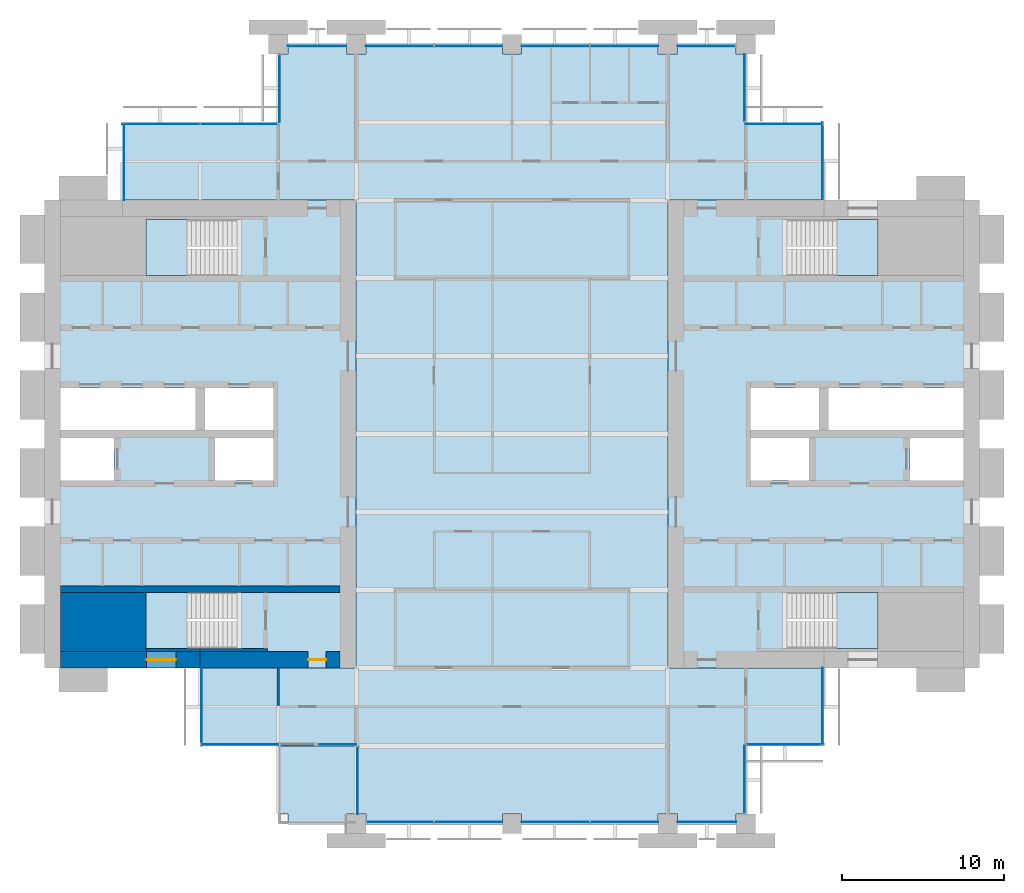
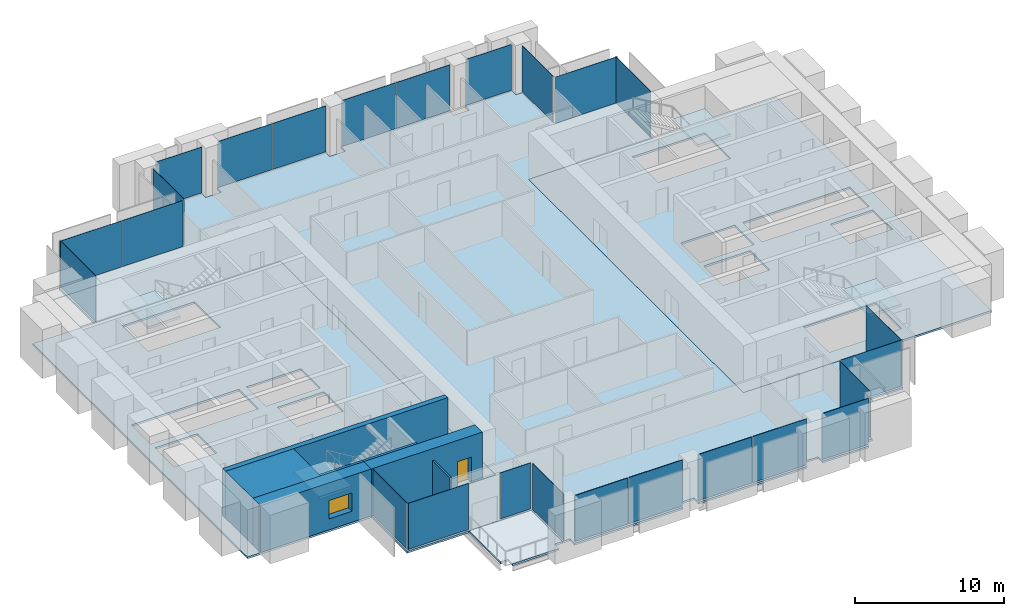
# One storey, part 8 of 14: 25 plates, 8 slabs, 7 walls, 1 door, 1 window, 2 openings, 19 elements without a shape of their own.
"""IFC4 building model written with IfcOpenShell, lengths in metres."""

from ifc_helpers import new_model, si_unit, direction, frame, frame_2d, origin, origin_2d, place, context, subcontext, project, spatial, polyline, rectangle, outline, extrude, material, layer, layer_set, type_object, element, fill, aggregate, save


model = new_model("IFC4")

# Units and contexts
model_context = context("Model", 3, precision=1e-05, world=origin(), true_north=direction((0.0, 1.0)))
body_context = subcontext(model_context, "Body", "Model", "MODEL_VIEW")
ifc_project = project(units=[si_unit("LENGTHUNIT", "METRE"), si_unit("AREAUNIT", "SQUARE_METRE"), si_unit("VOLUMEUNIT", "CUBIC_METRE"), si_unit("PLANEANGLEUNIT", "RADIAN"), si_unit("MASSUNIT", "GRAM", prefix="KILO")], contexts=[model_context])

# Site, building, storey
site_placement = place(None, origin())
site = spatial("IfcSite", under=ifc_project, at=site_placement, CompositionType="ELEMENT")
building_placement = place(site_placement, origin())
building = spatial("IfcBuilding", under=site, at=building_placement, Name="Baori Bourse Tower", CompositionType="ELEMENT")
storey_placement = place(building_placement, frame((0.0, 0.0, 148.10009765625)))
storey = spatial("IfcBuildingStorey", under=building, at=storey_placement, Name="L32", CompositionType="ELEMENT", Elevation=148.10009765625)

# Curtain wall, plates
ifc_material_1 = material(Name="Pale anodised aluminium", Category="aluminium")
curtain_wall_type_1 = type_object("IfcCurtainWallType", Name="CW1 Curtain wall", PredefinedType="NOTDEFINED", material=ifc_material_1)
curtain_wall_1_placement = place(storey_placement, origin())
curtain_wall_1 = element("IfcCurtainWall", 1, at=curtain_wall_1_placement, inside=storey, type_object=curtain_wall_type_1, Name="Curtain wall CW1 L32 4", PredefinedType="NOTDEFINED")
ifc_material_2 = material(Name="Clear glass", Category="glass")
ifc_layer_1 = layer(ifc_material_2, 0.033935546875)
ifc_layer_set_1 = layer_set([ifc_layer_1], Name="CW1 Curtain wall panel")
plate_type_1 = type_object("IfcPlateType", Name="CW1 Curtain wall panel", PredefinedType="CURTAIN_PANEL", material=ifc_layer_set_1)
plate_1_placement = place(storey_placement, frame((40.77001953125, 47.89990234375, 0.080078125), z_axis=(0.0, 0.0, 1.0), x_axis=(-1.0, 0.0, 0.0)))
plate_1 = element("IfcPlate", 2, at=plate_1_placement, type_object=plate_type_1, Name="Curtain wall CW1 panel", PredefinedType="CURTAIN_PANEL", context=body_context, shape_type="SweptSolid", body=[
    extrude(rectangle(XDim=3.5400390625, YDim=0.033935546875, at=origin_2d()), origin(), (0.0, 0.0, 1.0), 3.760009765625),
])
plate_2_placement = place(storey_placement, frame((35.715087890625, 47.89990234375, 0.080078125), z_axis=(0.0, 0.0, 1.0), x_axis=(-1.0, 0.0, 0.0)))
plate_2 = element("IfcPlate", 3, at=plate_2_placement, type_object=plate_type_1, Name="Curtain wall CW1 panel", PredefinedType="CURTAIN_PANEL", context=body_context, shape_type="SweptSolid", body=[
    extrude(rectangle(XDim=4.169921875, YDim=0.033935546875, at=origin_2d()), origin(), (0.0, 0.0, 1.0), 3.760009765625),
])
plate_3_placement = place(storey_placement, frame((31.485107421875, 47.89990234375, 0.080078125), z_axis=(0.0, 0.0, 1.0), x_axis=(-1.0, 0.0, 0.0)))
plate_3 = element("IfcPlate", 4, at=plate_3_placement, type_object=plate_type_1, Name="Curtain wall CW1 panel", PredefinedType="CURTAIN_PANEL", context=body_context, shape_type="SweptSolid", body=[
    extrude(rectangle(XDim=4.169921875, YDim=0.033935546875, at=origin_2d()), origin(), (0.0, 0.0, 1.0), 3.760009765625),
])
plate_4_placement = place(storey_placement, frame((26.114990234375, 47.89990234375, 0.080078125), z_axis=(0.0, 0.0, 1.0), x_axis=(-1.0, 0.0, 0.0)))
plate_4 = element("IfcPlate", 5, at=plate_4_placement, type_object=plate_type_1, Name="Curtain wall CW1 panel", PredefinedType="CURTAIN_PANEL", context=body_context, shape_type="SweptSolid", body=[
    extrude(rectangle(XDim=4.169921875, YDim=0.033935546875, at=origin_2d()), origin(), (0.0, 0.0, 1.0), 3.760009765625),
])
plate_5_placement = place(storey_placement, frame((21.885009765625, 47.89990234375, 0.080078125), z_axis=(0.0, 0.0, 1.0), x_axis=(-1.0, 0.0, 0.0)))
plate_5 = element("IfcPlate", 6, at=plate_5_placement, type_object=plate_type_1, Name="Curtain wall CW1 panel", PredefinedType="CURTAIN_PANEL", context=body_context, shape_type="SweptSolid", body=[
    extrude(rectangle(XDim=4.169921875, YDim=0.033935546875, at=origin_2d()), origin(), (0.0, 0.0, 1.0), 3.760009765625),
])
plate_6_placement = place(storey_placement, frame((16.800048828125, 47.89990234375, 0.080078125), z_axis=(0.0, 0.0, 1.0), x_axis=(-1.0, 0.0, 0.0)))
plate_6 = element("IfcPlate", 7, at=plate_6_placement, type_object=plate_type_1, Name="Curtain wall CW1 panel", PredefinedType="CURTAIN_PANEL", context=body_context, shape_type="SweptSolid", body=[
    extrude(rectangle(XDim=3.60009765625, YDim=0.033935546875, at=origin_2d()), origin(), (0.0, 0.0, 1.0), 3.760009765625),
])
aggregate(curtain_wall_1, [plate_1, plate_2, plate_3, plate_4, plate_5, plate_6])

curtain_wall_2_placement = place(storey_placement, origin())
curtain_wall_2 = element("IfcCurtainWall", 8, at=curtain_wall_2_placement, inside=storey, type_object=curtain_wall_type_1, Name="Curtain wall CW1 L32 12", PredefinedType="NOTDEFINED")
plate_7_placement = place(storey_placement, frame((21.9150390625, 0.10009765625, 0.080078125), z_axis=(0.0, 0.0, 1.0), x_axis=(1.0, 0.0, 0.0)))
plate_7 = element("IfcPlate", 9, at=plate_7_placement, type_object=plate_type_1, Name="Curtain wall CW1 panel", PredefinedType="CURTAIN_PANEL", context=body_context, shape_type="SweptSolid", body=[
    extrude(rectangle(XDim=4.110107421875, YDim=0.033935546875, at=origin_2d()), origin(), (0.0, 0.0, 1.0), 3.760009765625),
])
plate_8_placement = place(storey_placement, frame((26.114990234375, 0.10009765625, 0.080078125), z_axis=(0.0, 0.0, 1.0), x_axis=(1.0, 0.0, 0.0)))
plate_8 = element("IfcPlate", 10, at=plate_8_placement, type_object=plate_type_1, Name="Curtain wall CW1 panel", PredefinedType="CURTAIN_PANEL", context=body_context, shape_type="SweptSolid", body=[
    extrude(rectangle(XDim=4.169921875, YDim=0.033935546875, at=origin_2d()), origin(), (0.0, 0.0, 1.0), 3.760009765625),
])
plate_9_placement = place(storey_placement, frame((31.485107421875, 0.10009765625, 0.080078125), z_axis=(0.0, 0.0, 1.0), x_axis=(1.0, 0.0, 0.0)))
plate_9 = element("IfcPlate", 11, at=plate_9_placement, type_object=plate_type_1, Name="Curtain wall CW1 panel", PredefinedType="CURTAIN_PANEL", context=body_context, shape_type="SweptSolid", body=[
    extrude(rectangle(XDim=4.169921875, YDim=0.033935546875, at=origin_2d()), origin(), (0.0, 0.0, 1.0), 3.760009765625),
])
plate_10_placement = place(storey_placement, frame((35.715087890625, 0.10009765625, 0.080078125), z_axis=(0.0, 0.0, 1.0), x_axis=(1.0, 0.0, 0.0)))
plate_10 = element("IfcPlate", 12, at=plate_10_placement, type_object=plate_type_1, Name="Curtain wall CW1 panel", PredefinedType="CURTAIN_PANEL", context=body_context, shape_type="SweptSolid", body=[
    extrude(rectangle(XDim=4.169921875, YDim=0.033935546875, at=origin_2d()), origin(), (0.0, 0.0, 1.0), 3.760009765625),
])
plate_11_placement = place(storey_placement, frame((40.800048828125, 0.10009765625, 0.080078125), z_axis=(0.0, 0.0, 1.0), x_axis=(1.0, 0.0, 0.0)))
plate_11 = element("IfcPlate", 13, at=plate_11_placement, type_object=plate_type_1, Name="Curtain wall CW1 panel", PredefinedType="CURTAIN_PANEL", context=body_context, shape_type="SweptSolid", body=[
    extrude(rectangle(XDim=3.60009765625, YDim=0.033935546875, at=origin_2d()), origin(), (0.0, 0.0, 1.0), 3.760009765625),
])
aggregate(curtain_wall_2, [plate_7, plate_8, plate_9, plate_10, plate_11])

# Curtain wall, plate
ifc_material_3 = material(Name="Pale anodised aluminium", Category="aluminium")
curtain_wall_type_2 = type_object("IfcCurtainWallType", Name="CW2 Curtain wall", PredefinedType="NOTDEFINED", material=ifc_material_3)
curtain_wall_3_placement = place(storey_placement, origin())
curtain_wall_3 = element("IfcCurtainWall", 14, at=curtain_wall_3_placement, inside=storey, type_object=curtain_wall_type_2, Name="Curtain wall CW2 L32 1", PredefinedType="NOTDEFINED")
ifc_material_4 = material(Name="Clear glass", Category="glass")
ifc_layer_2 = layer(ifc_material_4, 0.030029296875)
ifc_layer_set_2 = layer_set([ifc_layer_2], Name="CW2 Curtain wall panel")
plate_type_2 = type_object("IfcPlateType", Name="CW2 Curtain wall panel", PredefinedType="CURTAIN_PANEL", material=ifc_layer_set_2)
plate_12_placement = place(storey_placement, frame((47.909912109375, 40.827392578125, 0.06982421875), z_axis=(0.0, 0.0, 1.0), x_axis=(0.0, 1.0, 0.0)))
plate_12 = element("IfcPlate", 15, at=plate_12_placement, type_object=plate_type_2, Name="Curtain wall CW2 panel", PredefinedType="CURTAIN_PANEL", context=body_context, shape_type="SweptSolid", body=[
    extrude(rectangle(XDim=4.7451171875, YDim=0.030029296875, at=origin_2d()), origin(), (0.0, 0.0, 1.0), 3.77001953125),
])
aggregate(curtain_wall_3, [plate_12])

curtain_wall_4_placement = place(storey_placement, origin())
curtain_wall_4 = element("IfcCurtainWall", 16, at=curtain_wall_4_placement, inside=storey, type_object=curtain_wall_type_2, Name="Curtain wall CW2 L32 2", PredefinedType="NOTDEFINED")
plate_13_placement = place(storey_placement, frame((45.572509765625, 43.110107421875, 0.06982421875), z_axis=(0.0, 0.0, 1.0), x_axis=(-1.0, 0.0, 0.0)))
plate_13 = element("IfcPlate", 17, at=plate_13_placement, type_object=plate_type_2, Name="Curtain wall CW2 panel", PredefinedType="CURTAIN_PANEL", context=body_context, shape_type="SweptSolid", body=[
    extrude(rectangle(XDim=4.7451171875, YDim=0.030029296875, at=origin_2d()), origin(), (0.0, 0.0, 1.0), 3.77001953125),
])
aggregate(curtain_wall_4, [plate_13])

curtain_wall_5_placement = place(storey_placement, origin())
curtain_wall_5 = element("IfcCurtainWall", 18, at=curtain_wall_5_placement, inside=storey, type_object=curtain_wall_type_2, Name="Curtain wall CW2 L32 3", PredefinedType="NOTDEFINED")
plate_14_placement = place(storey_placement, frame((43.110107421875, 45.327392578125, 0.06982421875), z_axis=(0.0, 0.0, 1.0), x_axis=(0.0, 1.0, 0.0)))
plate_14 = element("IfcPlate", 19, at=plate_14_placement, type_object=plate_type_2, Name="Curtain wall CW2 panel", PredefinedType="CURTAIN_PANEL", context=body_context, shape_type="SweptSolid", body=[
    extrude(rectangle(XDim=4.14501953125, YDim=0.030029296875, at=origin_2d()), origin(), (0.0, 0.0, 1.0), 3.77001953125),
])
aggregate(curtain_wall_5, [plate_14])

curtain_wall_6_placement = place(storey_placement, origin())
curtain_wall_6 = element("IfcCurtainWall", 20, at=curtain_wall_6_placement, inside=storey, type_object=curtain_wall_type_2, Name="Curtain wall CW2 L32 5", PredefinedType="NOTDEFINED")
plate_15_placement = place(storey_placement, frame((14.489990234375, 45.2724609375, 0.06982421875), z_axis=(0.0, 0.0, 1.0), x_axis=(0.0, -1.0, 0.0)))
plate_15 = element("IfcPlate", 21, at=plate_15_placement, type_object=plate_type_2, Name="Curtain wall CW2 panel", PredefinedType="CURTAIN_PANEL", context=body_context, shape_type="SweptSolid", body=[
    extrude(rectangle(XDim=4.14501953125, YDim=0.030029296875, at=origin_2d()), origin(), (0.0, 0.0, 1.0), 3.77001953125),
])
aggregate(curtain_wall_6, [plate_15])

# Curtain wall, plates
curtain_wall_7_placement = place(storey_placement, origin())
curtain_wall_7 = element("IfcCurtainWall", 22, at=curtain_wall_7_placement, inside=storey, type_object=curtain_wall_type_2, Name="Curtain wall CW2 L32 6", PredefinedType="NOTDEFINED")
plate_16_placement = place(storey_placement, frame((11.986328125, 43.110107421875, 0.06982421875), z_axis=(0.0, 0.0, 1.0), x_axis=(-1.0, 0.0, 0.0)))
plate_16 = element("IfcPlate", 23, at=plate_16_placement, type_object=plate_type_2, Name="Curtain wall CW2 panel", PredefinedType="CURTAIN_PANEL", context=body_context, shape_type="SweptSolid", body=[
    extrude(rectangle(XDim=4.717529296875, YDim=0.030029296875, at=origin_2d()), origin(), (0.0, 0.0, 1.0), 3.77001953125),
])
plate_17_placement = place(storey_placement, frame((7.186279296875, 43.110107421875, 0.06982421875), z_axis=(0.0, 0.0, 1.0), x_axis=(-1.0, 0.0, 0.0)))
plate_17 = element("IfcPlate", 24, at=plate_17_placement, type_object=plate_type_2, Name="Curtain wall CW2 panel", PredefinedType="CURTAIN_PANEL", context=body_context, shape_type="SweptSolid", body=[
    extrude(rectangle(XDim=4.7724609375, YDim=0.030029296875, at=origin_2d()), origin(), (0.0, 0.0, 1.0), 3.77001953125),
])
aggregate(curtain_wall_7, [plate_16, plate_17])

# Curtain wall, plate
curtain_wall_8_placement = place(storey_placement, origin())
curtain_wall_8 = element("IfcCurtainWall", 25, at=curtain_wall_8_placement, inside=storey, type_object=curtain_wall_type_2, Name="Curtain wall CW2 L32 7", PredefinedType="NOTDEFINED")
plate_18_placement = place(storey_placement, frame((4.889892578125, 40.7724609375, 0.06982421875), z_axis=(0.0, 0.0, 1.0), x_axis=(0.0, -1.0, 0.0)))
plate_18 = element("IfcPlate", 26, at=plate_18_placement, type_object=plate_type_2, Name="Curtain wall CW2 panel", PredefinedType="CURTAIN_PANEL", context=body_context, shape_type="SweptSolid", body=[
    extrude(rectangle(XDim=4.7451171875, YDim=0.030029296875, at=origin_2d()), origin(), (0.0, 0.0, 1.0), 3.77001953125),
])
aggregate(curtain_wall_8, [plate_18])

curtain_wall_9_placement = place(storey_placement, origin())
curtain_wall_9 = element("IfcCurtainWall", 27, at=curtain_wall_9_placement, inside=storey, type_object=curtain_wall_type_2, Name="Curtain wall CW2 L32 8", PredefinedType="NOTDEFINED")
plate_19_placement = place(storey_placement, frame((9.68994140625, 7.172607421875, 0.06982421875), z_axis=(0.0, 0.0, 1.0), x_axis=(0.0, -1.0, 0.0)))
plate_19 = element("IfcPlate", 28, at=plate_19_placement, type_object=plate_type_2, Name="Curtain wall CW2 panel", PredefinedType="CURTAIN_PANEL", context=body_context, shape_type="SweptSolid", body=[
    extrude(rectangle(XDim=4.7451171875, YDim=0.030029296875, at=origin_2d()), origin(), (0.0, 0.0, 1.0), 3.77001953125),
])
aggregate(curtain_wall_9, [plate_19])

curtain_wall_10_placement = place(storey_placement, origin())
curtain_wall_10 = element("IfcCurtainWall", 29, at=curtain_wall_10_placement, inside=storey, type_object=curtain_wall_type_2, Name="Curtain wall CW2 L32 9", PredefinedType="NOTDEFINED")
plate_20_placement = place(storey_placement, frame((12.027587890625, 4.889892578125, 0.06982421875), z_axis=(0.0, 0.0, 1.0), x_axis=(1.0, 0.0, 0.0)))
plate_20 = element("IfcPlate", 30, at=plate_20_placement, type_object=plate_type_2, Name="Curtain wall CW2 panel", PredefinedType="CURTAIN_PANEL", context=body_context, shape_type="SweptSolid", body=[
    extrude(rectangle(XDim=4.7451171875, YDim=0.030029296875, at=origin_2d()), origin(), (0.0, 0.0, 1.0), 3.77001953125),
])
aggregate(curtain_wall_10, [plate_20])

curtain_wall_11_placement = place(storey_placement, origin())
curtain_wall_11 = element("IfcCurtainWall", 31, at=curtain_wall_11_placement, inside=storey, type_object=curtain_wall_type_2, Name="Curtain wall CW2 L32 10", PredefinedType="NOTDEFINED")
plate_21_placement = place(storey_placement, frame((18.027587890625, 4.889892578125, 0.06982421875), z_axis=(0.0, 0.0, 1.0), x_axis=(1.0, 0.0, 0.0)))
plate_21 = element("IfcPlate", 32, at=plate_21_placement, type_object=plate_type_2, Name="Curtain wall CW2 panel", PredefinedType="CURTAIN_PANEL", context=body_context, shape_type="SweptSolid", body=[
    extrude(rectangle(XDim=2.344970703125, YDim=0.030029296875, at=origin_2d()), origin(), (0.0, 0.0, 1.0), 3.77001953125),
])
aggregate(curtain_wall_11, [plate_21])

curtain_wall_12_placement = place(storey_placement, origin())
curtain_wall_12 = element("IfcCurtainWall", 33, at=curtain_wall_12_placement, inside=storey, type_object=curtain_wall_type_2, Name="Curtain wall CW2 L32 11", PredefinedType="NOTDEFINED")
plate_22_placement = place(storey_placement, frame((19.2900390625, 2.672607421875, 0.06982421875), z_axis=(0.0, 0.0, 1.0), x_axis=(0.0, -1.0, 0.0)))
plate_22 = element("IfcPlate", 34, at=plate_22_placement, type_object=plate_type_2, Name="Curtain wall CW2 panel", PredefinedType="CURTAIN_PANEL", context=body_context, shape_type="SweptSolid", body=[
    extrude(rectangle(XDim=4.14501953125, YDim=0.030029296875, at=origin_2d()), origin(), (0.0, 0.0, 1.0), 3.77001953125),
])
aggregate(curtain_wall_12, [plate_22])

curtain_wall_13_placement = place(storey_placement, origin())
curtain_wall_13 = element("IfcCurtainWall", 35, at=curtain_wall_13_placement, inside=storey, type_object=curtain_wall_type_2, Name="Curtain wall CW2 L32 13", PredefinedType="NOTDEFINED")
plate_23_placement = place(storey_placement, frame((43.110107421875, 2.7275390625, 0.06982421875), z_axis=(0.0, 0.0, 1.0), x_axis=(0.0, 1.0, 0.0)))
plate_23 = element("IfcPlate", 36, at=plate_23_placement, type_object=plate_type_2, Name="Curtain wall CW2 panel", PredefinedType="CURTAIN_PANEL", context=body_context, shape_type="SweptSolid", body=[
    extrude(rectangle(XDim=4.14501953125, YDim=0.030029296875, at=origin_2d()), origin(), (0.0, 0.0, 1.0), 3.77001953125),
])
aggregate(curtain_wall_13, [plate_23])

curtain_wall_14_placement = place(storey_placement, origin())
curtain_wall_14 = element("IfcCurtainWall", 37, at=curtain_wall_14_placement, inside=storey, type_object=curtain_wall_type_2, Name="Curtain wall CW2 L32 14", PredefinedType="NOTDEFINED")
plate_24_placement = place(storey_placement, frame((45.62744140625, 4.889892578125, 0.06982421875), z_axis=(0.0, 0.0, 1.0), x_axis=(1.0, 0.0, 0.0)))
plate_24 = element("IfcPlate", 38, at=plate_24_placement, type_object=plate_type_2, Name="Curtain wall CW2 panel", PredefinedType="CURTAIN_PANEL", context=body_context, shape_type="SweptSolid", body=[
    extrude(rectangle(XDim=4.7451171875, YDim=0.030029296875, at=origin_2d()), origin(), (0.0, 0.0, 1.0), 3.77001953125),
])
aggregate(curtain_wall_14, [plate_24])

curtain_wall_15_placement = place(storey_placement, origin())
curtain_wall_15 = element("IfcCurtainWall", 39, at=curtain_wall_15_placement, inside=storey, type_object=curtain_wall_type_2, Name="Curtain wall CW2 L32 15", PredefinedType="NOTDEFINED")
plate_25_placement = place(storey_placement, frame((47.909912109375, 7.2275390625, 0.06982421875), z_axis=(0.0, 0.0, 1.0), x_axis=(0.0, 1.0, 0.0)))
plate_25 = element("IfcPlate", 40, at=plate_25_placement, type_object=plate_type_2, Name="Curtain wall CW2 panel", PredefinedType="CURTAIN_PANEL", context=body_context, shape_type="SweptSolid", body=[
    extrude(rectangle(XDim=4.7451171875, YDim=0.030029296875, at=origin_2d()), origin(), (0.0, 0.0, 1.0), 3.77001953125),
])
aggregate(curtain_wall_15, [plate_25])

# Slabs
ifc_material_5 = material(Name="Concrete f'c 50 MPa", Category="concrete")
ifc_layer_3 = layer(ifc_material_5, 0.159912109375)
ifc_layer_set_3 = layer_set([ifc_layer_3], Name="Core slab 160")
slab_type_1 = type_object("IfcSlabType", Name="Core slab 160", PredefinedType="FLOOR", material=ifc_layer_set_3)
slab_1_placement = place(storey_placement, frame((0.0, 0.0, -0.16015625)))
element("IfcSlab", 41, at=slab_1_placement, inside=storey, type_object=slab_type_1, Name="Core floor slab W01", PredefinedType="FLOOR", context=body_context, shape_type="SweptSolid", body=[
    extrude(outline(polyline([(0.0, 38.39990234375), (0.0, 9.60009765625), (19.199951171875, 9.60009765625), (19.199951171875, 38.39990234375), (0.0, 38.39990234375)]), holes=[polyline([(10.5, 21.14990234375), (10.5, 23.75), (14.10009765625, 23.75), (14.10009765625, 21.14990234375), (10.5, 21.14990234375)]), polyline([(14.10009765625, 24.25), (9.89990234375, 24.25), (9.89990234375, 26.85009765625), (14.10009765625, 26.85009765625), (14.10009765625, 24.25)]), polyline([(6.25, 14.25), (11.84912109375, 14.25), (11.84912109375, 10.800048828125), (6.25, 10.800048828125), (6.25, 14.25)]), polyline([(11.84912109375, 37.199951171875), (11.84912109375, 33.75), (6.25, 33.75), (6.25, 37.199951171875), (11.84912109375, 37.199951171875)]), polyline([(1.0, 26.85009765625), (9.300048828125, 26.85009765625), (9.300048828125, 24.25), (1.0, 24.25), (1.0, 26.85009765625)]), polyline([(4.300048828125, 23.75), (4.300048828125, 21.14990234375), (1.0, 21.14990234375), (1.0, 23.75), (4.300048828125, 23.75)])]), origin(), (0.0, 0.0, 1.0), 0.16015625),
])
slab_2_placement = place(storey_placement, frame((0.0, 0.0, -0.16015625)))
element("IfcSlab", 42, at=slab_2_placement, inside=storey, type_object=slab_type_1, Name="Core floor slab E01", PredefinedType="FLOOR", context=body_context, shape_type="SweptSolid", body=[
    extrude(outline(polyline([(57.60009765625, 38.39990234375), (38.39990234375, 38.39990234375), (38.39990234375, 9.60009765625), (57.60009765625, 9.60009765625), (57.60009765625, 38.39990234375)]), holes=[polyline([(56.60009765625, 21.14990234375), (53.300048828125, 21.14990234375), (53.300048828125, 23.75), (56.60009765625, 23.75), (56.60009765625, 21.14990234375)]), polyline([(56.60009765625, 26.85009765625), (56.60009765625, 24.25), (48.300048828125, 24.25), (48.300048828125, 26.85009765625), (56.60009765625, 26.85009765625)]), polyline([(45.750732421875, 14.25), (51.35009765625, 14.25), (51.35009765625, 10.800048828125), (45.750732421875, 10.800048828125), (45.750732421875, 14.25)]), polyline([(51.35009765625, 37.199951171875), (51.35009765625, 33.75), (45.750732421875, 33.75), (45.750732421875, 37.199951171875), (51.35009765625, 37.199951171875)]), polyline([(43.5, 24.25), (43.5, 26.85009765625), (47.699951171875, 26.85009765625), (47.699951171875, 24.25), (43.5, 24.25)]), polyline([(43.5, 23.75), (47.10009765625, 23.75), (47.10009765625, 21.14990234375), (43.5, 21.14990234375), (43.5, 23.75)])]), origin(), (0.0, 0.0, 1.0), 0.16015625),
])

# Stair, slab
ifc_material_6 = material(Name="Concrete f'c 50 MPa", Category="concrete")
stair_type = type_object("IfcStairType", Name="Core stair", PredefinedType="HALF_TURN_STAIR", material=ifc_material_6)
stair_1_placement = place(storey_placement, origin())
stair_1 = element("IfcStair", 43, at=stair_1_placement, inside=storey, type_object=stair_type, Name="L32 Stair WA", PredefinedType="HALF_TURN_STAIR")
ifc_material_7 = material(Name="Concrete f'c 50 MPa", Category="concrete")
slab_type_2 = type_object("IfcSlabType", Name="Core stair landing", PredefinedType="LANDING", material=ifc_material_7)
slab_3_placement = place(storey_placement, frame((0.0, 0.0, 1.7998046875)))
slab_3 = element("IfcSlab", 44, at=slab_3_placement, type_object=slab_type_2, Name="ST1 landing 1", PredefinedType="LANDING", context=body_context, shape_type="SweptSolid", body=[
    extrude(outline(polyline([(8.77001953125, 14.25), (6.25, 14.25), (6.25, 10.800048828125), (8.77001953125, 10.800048828125), (8.77001953125, 14.25)])), origin(), (0.0, 0.0, 1.0), 0.2001953125),
])
aggregate(stair_1, [slab_3])

stair_2_placement = place(storey_placement, origin())
stair_2 = element("IfcStair", 45, at=stair_2_placement, inside=storey, type_object=stair_type, Name="L32 Stair WB", PredefinedType="HALF_TURN_STAIR")
slab_4_placement = place(storey_placement, frame((0.0, 0.0, 1.7998046875)))
slab_4 = element("IfcSlab", 46, at=slab_4_placement, type_object=slab_type_2, Name="ST2 landing 1", PredefinedType="LANDING", context=body_context, shape_type="SweptSolid", body=[
    extrude(outline(polyline([(8.77001953125, 37.199951171875), (6.25, 37.199951171875), (6.25, 33.75), (8.77001953125, 33.75), (8.77001953125, 37.199951171875)])), origin(), (0.0, 0.0, 1.0), 0.2001953125),
])
aggregate(stair_2, [slab_4])

stair_3_placement = place(storey_placement, origin())
stair_3 = element("IfcStair", 47, at=stair_3_placement, inside=storey, type_object=stair_type, Name="L32 Stair EA", PredefinedType="HALF_TURN_STAIR")
slab_5_placement = place(storey_placement, frame((0.0, 0.0, 1.7998046875)))
slab_5 = element("IfcSlab", 48, at=slab_5_placement, type_object=slab_type_2, Name="ST3 landing 1", PredefinedType="LANDING", context=body_context, shape_type="SweptSolid", body=[
    extrude(outline(polyline([(48.830078125, 10.800048828125), (51.35009765625, 10.800048828125), (51.35009765625, 14.25), (48.830078125, 14.25), (48.830078125, 10.800048828125)])), origin(), (0.0, 0.0, 1.0), 0.2001953125),
])
aggregate(stair_3, [slab_5])

stair_4_placement = place(storey_placement, origin())
stair_4 = element("IfcStair", 49, at=stair_4_placement, inside=storey, type_object=stair_type, Name="L32 Stair EB", PredefinedType="HALF_TURN_STAIR")
slab_6_placement = place(storey_placement, frame((0.0, 0.0, 1.7998046875)))
slab_6 = element("IfcSlab", 50, at=slab_6_placement, type_object=slab_type_2, Name="ST4 landing 1", PredefinedType="LANDING", context=body_context, shape_type="SweptSolid", body=[
    extrude(outline(polyline([(48.830078125, 33.75), (51.35009765625, 33.75), (51.35009765625, 37.199951171875), (48.830078125, 37.199951171875), (48.830078125, 33.75)])), origin(), (0.0, 0.0, 1.0), 0.2001953125),
])
aggregate(stair_4, [slab_6])

# Slabs
ifc_material_8 = material(Name="Concrete f'c 40 MPa", Category="concrete")
ifc_layer_4 = layer(ifc_material_8, 0.159912109375)
ifc_layer_set_4 = layer_set([ifc_layer_4], Name="Floor slab 160")
slab_type_3 = type_object("IfcSlabType", Name="Floor slab 160", PredefinedType="FLOOR", material=ifc_layer_set_4)
slab_7_placement = place(storey_placement, frame((0.0, 0.0, -0.16015625)))
element("IfcSlab", 51, at=slab_7_placement, inside=storey, type_object=slab_type_3, Name="Floor slab L32", PredefinedType="FLOOR", context=body_context, shape_type="SweptSolid", body=[
    extrude(outline(polyline([(19.199951171875, 4.800048828125), (9.60009765625, 4.800048828125), (9.60009765625, 9.60009765625), (19.199951171875, 9.60009765625), (19.199951171875, 38.39990234375), (4.800048828125, 38.39990234375), (4.800048828125, 43.199951171875), (14.39990234375, 43.199951171875), (14.39990234375, 47.39990234375), (15.0, 47.39990234375), (15.0, 48.0), (18.60009765625, 48.0), (18.60009765625, 47.39990234375), (19.800048828125, 47.39990234375), (19.800048828125, 48.0), (28.199951171875, 48.0), (28.199951171875, 47.39990234375), (29.39990234375, 47.39990234375), (29.39990234375, 48.0), (37.800048828125, 48.0), (37.800048828125, 47.39990234375), (39.0, 47.39990234375), (39.0, 48.0), (42.60009765625, 48.0), (42.60009765625, 47.39990234375), (43.199951171875, 47.39990234375), (43.199951171875, 43.199951171875), (48.0, 43.199951171875), (48.0, 38.39990234375), (38.39990234375, 38.39990234375), (38.39990234375, 9.60009765625), (48.0, 9.60009765625), (48.0, 4.800048828125), (43.199951171875, 4.800048828125), (43.199951171875, 0.60009765625), (42.60009765625, 0.60009765625), (42.60009765625, 0.0), (39.0, 0.0), (39.0, 0.60009765625), (37.800048828125, 0.60009765625), (37.800048828125, 0.0), (29.39990234375, 0.0), (29.39990234375, 0.60009765625), (28.199951171875, 0.60009765625), (28.199951171875, 0.0), (19.800048828125, 0.0), (19.800048828125, 0.60009765625), (19.199951171875, 0.60009765625), (19.199951171875, 4.800048828125)])), origin(), (0.0, 0.0, 1.0), 0.16015625),
])
ifc_material_9 = material(Name="Concrete f'c 40 MPa", Category="concrete")
ifc_layer_5 = layer(ifc_material_9, 0.159912109375)
ifc_layer_set_5 = layer_set([ifc_layer_5], Name="Terrace slab 160")
slab_type_4 = type_object("IfcSlabType", Name="Terrace slab 160", PredefinedType="ROOF", material=ifc_layer_set_5)
slab_8_placement = place(storey_placement, frame((0.0, 0.0, -0.16015625)))
element("IfcSlab", 52, at=slab_8_placement, inside=storey, type_object=slab_type_4, Name="Terrace slab SW L32", PredefinedType="ROOF", context=body_context, shape_type="SweptSolid", body=[
    extrude(outline(polyline([(19.197021484375, 0.60009765625), (18.60009765625, 0.60009765625), (18.60009765625, 0.0029296875), (15.0, 0.0029296875), (15.0, 0.60009765625), (14.403076171875, 0.60009765625), (14.403076171875, 4.797119140625), (19.197021484375, 4.797119140625), (19.197021484375, 0.60009765625)])), origin(), (0.0, 0.0, 1.0), 0.16015625),
])

# Wall
ifc_material_10 = material(Name="Concrete f'c 60 MPa", Category="concrete")
wall_type_1 = type_object("IfcWallType", Name="Core corner block f'c 60", PredefinedType="SHEAR", material=ifc_material_10)
wall_1_placement = place(storey_placement, frame((1.0, 12.425048828125, 0.0), z_axis=(0.0, 0.0, 1.0), x_axis=(1.0, 0.0, 0.0)))
element("IfcWall", 53, at=wall_1_placement, inside=storey, type_object=wall_type_1, Name="Core wall W05", PredefinedType="SHEAR", context=body_context, shape_type="SweptSolid", body=[
    extrude(rectangle(XDim=5.25, YDim=3.64990234375, at=frame_2d((2.625, 0.0))), origin(), (0.0, 0.0, 1.0), 3.83984375),
])

# Wall, opening, window
ifc_material_11 = material(Name="Concrete f'c 60 MPa", Category="concrete")
ifc_layer_6 = layer(ifc_material_11, 1.0)
ifc_layer_set_6 = layer_set([ifc_layer_6], Name="Core wall 1000 f'c 60")
wall_type_2 = type_object("IfcWallType", Name="Core wall 1000 f'c 60", PredefinedType="SHEAR", material=ifc_layer_set_6)
wall_2_placement = place(storey_placement, frame((9.60009765625, 10.10009765625, 0.0), z_axis=(0.0, 0.0, 1.0), x_axis=(-1.0, 0.0, 0.0)))
wall_2 = element("IfcWall", 54, at=wall_2_placement, inside=storey, type_object=wall_type_2, Name="Core wall W02", PredefinedType="SHEAR", context=body_context, shape_type="SweptSolid", body=[
    extrude(rectangle(XDim=8.60009765625, YDim=1.0, at=frame_2d((4.300048828125, 0.0))), origin(), (0.0, 0.0, 1.0), 3.83984375),
])
opening_1_placement = place(wall_2_placement, frame((1.5, 0.0, 0.89990234375)))
opening_1 = element("IfcOpeningElement", 55, at=opening_1_placement, cuts=wall_2, Name="Opening L32-KW103", PredefinedType="OPENING", context=body_context, shape_type="SweptSolid", body=[
    extrude(rectangle(XDim=1.800048828125, YDim=1.5, at=frame_2d((0.89990234375, 0.75))), frame((0.0, 0.510009765625, 0.0), z_axis=(0.0, -1.0, 0.0), x_axis=(1.0, 0.0, 0.0)), (0.0, 0.0, 1.0), 1.02001953125),
])
ifc_material_12 = material(Name="Pale anodised aluminium", Category="aluminium")
window_type = type_object("IfcWindowType", Name="Stair window 1800 x 1500", PartitioningType="SINGLE_PANEL", PredefinedType="WINDOW", material=ifc_material_12)
window_placement = place(opening_1_placement, origin())
window = element("IfcWindow", 56, at=window_placement, inside=storey, type_object=window_type, Name="Stair window W L32 3", OverallHeight=1.5, OverallWidth=1.800048828125, PartitioningType="SINGLE_PANEL", PredefinedType="WINDOW", context=body_context, shape_type="SweptSolid", body=[
    extrude(rectangle(XDim=1.800048828125, YDim=1.5, at=frame_2d((0.89990234375, 0.75))), frame((0.0, 0.030029296875, 0.0), z_axis=(0.0, -1.0, 0.0), x_axis=(1.0, 0.0, 0.0)), (0.0, 0.0, 1.0), 0.06005859375),
])
fill(opening_1, window)

# Wall, opening, door
wall_3_placement = place(storey_placement, frame((18.199951171875, 10.10009765625, 0.0), z_axis=(0.0, 0.0, 1.0), x_axis=(-1.0, 0.0, 0.0)))
wall_3 = element("IfcWall", 57, at=wall_3_placement, inside=storey, type_object=wall_type_2, Name="Core wall W03", PredefinedType="SHEAR", context=body_context, shape_type="SweptSolid", body=[
    extrude(rectangle(XDim=8.599853515625, YDim=1.0, at=frame_2d((4.2998046875, 0.0))), origin(), (0.0, 0.0, 1.0), 3.83984375),
])
opening_2_placement = place(wall_3_placement, frame((0.85009765625, 0.0, 0.0)))
opening_2 = element("IfcOpeningElement", 58, at=opening_2_placement, cuts=wall_3, Name="Opening L32-D102", PredefinedType="OPENING", context=body_context, shape_type="SweptSolid", body=[
    extrude(rectangle(XDim=1.10009765625, YDim=2.10009765625, at=frame_2d((0.550048828125, 1.050048828125))), frame((0.0, 0.510009765625, 0.0), z_axis=(0.0, -1.0, 0.0), x_axis=(1.0, 0.0, 0.0)), (0.0, 0.0, 1.0), 1.02001953125),
])
ifc_material_13 = material(Name="Painted steel door", Category="steel")
door_type = type_object("IfcDoorType", Name="Stair door 1100", OperationType="SINGLE_SWING_LEFT", PredefinedType="DOOR", material=ifc_material_13)
door_placement = place(opening_2_placement, origin())
door = element("IfcDoor", 59, at=door_placement, inside=storey, type_object=door_type, Name="Stair vestibule door A W L32", OperationType="SINGLE_SWING_LEFT", OverallHeight=2.10009765625, OverallWidth=1.10009765625, PredefinedType="DOOR", context=body_context, shape_type="SweptSolid", body=[
    extrude(rectangle(XDim=1.10009765625, YDim=2.10009765625, at=frame_2d((0.550048828125, 1.050048828125))), frame((0.0, 0.02490234375, 0.0), z_axis=(0.0, -1.0, 0.0), x_axis=(1.0, 0.0, 0.0)), (0.0, 0.0, 1.0), 0.050048828125),
])
fill(opening_2, door)

# Walls
ifc_material_14 = material(Name="Gypsum board partition")
ifc_layer_7 = layer(ifc_material_14, 0.14990234375)
ifc_layer_set_7 = layer_set([ifc_layer_7], Name="Corridor partition 150")
wall_type_3 = type_object("IfcWallType", Name="Corridor partition 150", PredefinedType="PARTITIONING", material=ifc_layer_set_7)
wall_4_placement = place(storey_placement, frame((14.39990234375, 7.27490234375, 0.0), z_axis=(0.0, 0.0, 1.0), x_axis=(0.0, 1.0, 0.0)))
element("IfcWall", 60, at=wall_4_placement, inside=storey, type_object=wall_type_3, Name="Partition", PredefinedType="PARTITIONING", context=body_context, shape_type="SweptSolid", body=[
    extrude(rectangle(XDim=2.3251953125, YDim=0.14990234375, at=frame_2d((1.16259765625, 0.0))), origin(), (0.0, 0.0, 1.0), 2.849365234375),
])
ifc_material_15 = material(Name="Concrete f'c 60 MPa", Category="concrete")
ifc_layer_8 = layer(ifc_material_15, 0.199951171875)
ifc_layer_set_8 = layer_set([ifc_layer_8], Name="Shaft wall 200 f'c 60")
wall_type_4 = type_object("IfcWallType", Name="Shaft wall 200 f'c 60", PredefinedType="SHEAR", material=ifc_layer_set_8)
wall_5_placement = place(storey_placement, frame((6.25, 10.699951171875, 0.0), z_axis=(0.0, 0.0, 1.0), x_axis=(1.0, 0.0, 0.0)))
element("IfcWall", 61, at=wall_5_placement, inside=storey, type_object=wall_type_4, Name="Core wall W06", PredefinedType="SHEAR", context=body_context, shape_type="SweptSolid", body=[
    extrude(rectangle(XDim=3.35009765625, YDim=0.199951171875, at=frame_2d((1.675048828125, 0.0))), origin(), (0.0, 0.0, 1.0), 3.83984375),
])
wall_6_placement = place(storey_placement, frame((9.60009765625, 10.699951171875, 0.0), z_axis=(0.0, 0.0, 1.0), x_axis=(1.0, 0.0, 0.0)))
element("IfcWall", 62, at=wall_6_placement, inside=storey, type_object=wall_type_4, Name="Core wall W07", PredefinedType="SHEAR", context=body_context, shape_type="SweptSolid", body=[
    extrude(rectangle(XDim=4.14990234375, YDim=0.199951171875, at=frame_2d((2.074951171875, 0.0))), origin(), (0.0, 0.0, 1.0), 3.83984375),
])
ifc_material_16 = material(Name="Concrete f'c 60 MPa", Category="concrete")
ifc_layer_9 = layer(ifc_material_16, 0.39990234375)
ifc_layer_set_9 = layer_set([ifc_layer_9], Name="Shaft wall 400 f'c 60")
wall_type_5 = type_object("IfcWallType", Name="Shaft wall 400 f'c 60", PredefinedType="SHEAR", material=ifc_layer_set_9)
wall_7_placement = place(storey_placement, frame((1.0, 14.449951171875, 0.0), z_axis=(0.0, 0.0, 1.0), x_axis=(1.0, 0.0, 0.0)))
element("IfcWall", 63, at=wall_7_placement, inside=storey, type_object=wall_type_5, Name="Core wall W09", PredefinedType="SHEAR", context=body_context, shape_type="SweptSolid", body=[
    extrude(rectangle(XDim=17.199951171875, YDim=0.39990234375, at=frame_2d((8.60009765625, 0.0))), origin(), (0.0, 0.0, 1.0), 3.83984375),
])

save(model, "model.ifc")
